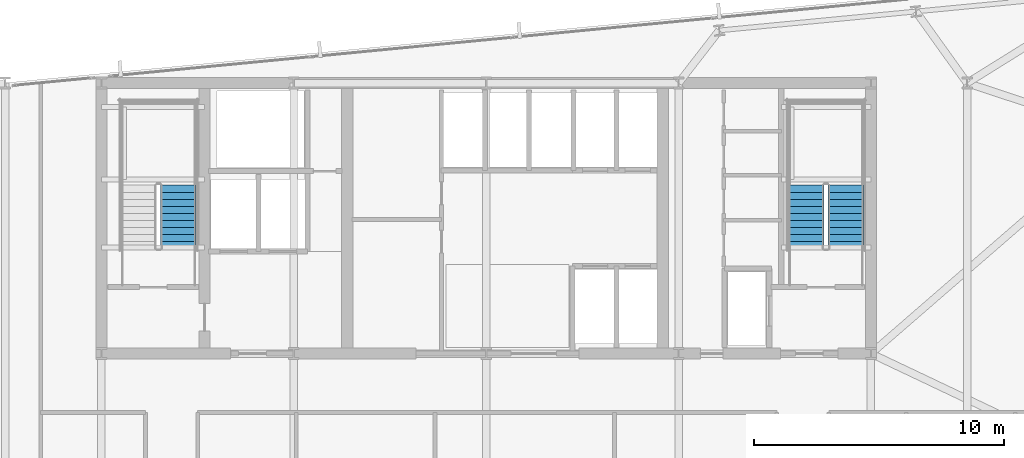
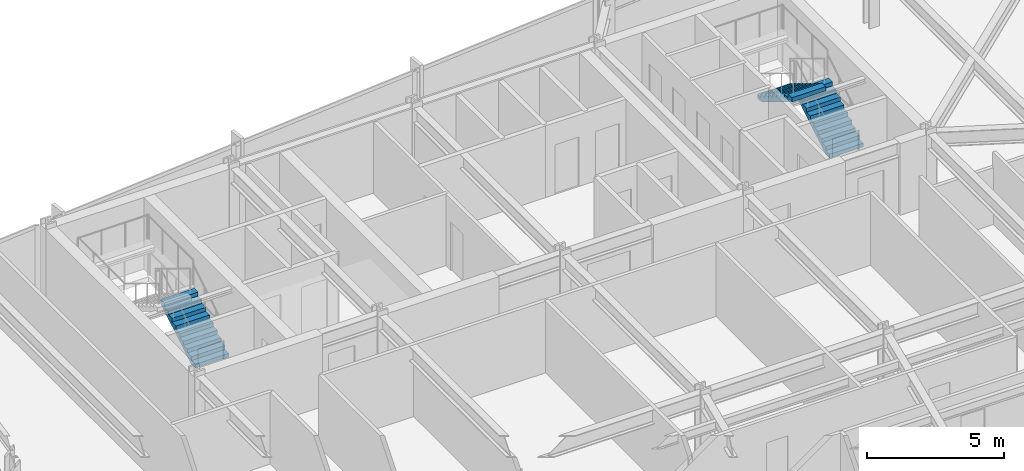
# One storey, part 27 of 33: 3 stair flights, 2 elements without a shape of their own.
"""IFC4 building model written with IfcOpenShell, lengths in metres."""

from ifc_helpers import new_model, si_unit, direction, frame, origin, place, context, subcontext, project, spatial, polyline, outline, extrude, material, type_object, element, aggregate, save


model = new_model("IFC4")

# Units and contexts
model_context = context("Model", 3, precision=1e-05, world=origin(), true_north=direction((0.0, 1.0)))
body_context = subcontext(model_context, "Body", "Model", "MODEL_VIEW")
ifc_project = project(units=[si_unit("LENGTHUNIT", "METRE"), si_unit("AREAUNIT", "SQUARE_METRE"), si_unit("VOLUMEUNIT", "CUBIC_METRE"), si_unit("PLANEANGLEUNIT", "RADIAN"), si_unit("MASSUNIT", "GRAM", prefix="KILO")], contexts=[model_context])

# Site, building, storey
site_placement = place(None, origin())
site = spatial("IfcSite", under=ifc_project, at=site_placement, CompositionType="ELEMENT")
building_placement = place(site_placement, origin())
building = spatial("IfcBuilding", under=site, at=building_placement, Name="Yelkora Congress Tower", CompositionType="ELEMENT")
storey_placement = place(building_placement, frame((0.0, 0.0, 123.699951171875)))
storey = spatial("IfcBuildingStorey", under=building, at=storey_placement, Name="L33", CompositionType="ELEMENT", Elevation=123.699951171875)

# Stair, stair flight
ifc_material = material(Name="Concrete C40/50", Category="concrete")
stair_type = type_object("IfcStairType", Name="STAIR-HT-1420-R20-170", PredefinedType="HALF_TURN_STAIR", material=ifc_material)
stair_1_placement = place(storey_placement, origin())
stair_1 = element("IfcStair", 1, at=stair_1_placement, inside=storey, type_object=stair_type, Name="West Core Protected Exit Stair ST-01 (L33)", PredefinedType="HALF_TURN_STAIR")
stair_flight_type = type_object("IfcStairFlightType", Name="FLIGHT-1420-N10-R170-G280", PredefinedType="STRAIGHT", material=ifc_material)
stair_flight_1_placement = place(storey_placement, frame((26.110107421875, 39.60009765625, 0.0), z_axis=(0.0, 0.0, 1.0), x_axis=(0.0, 1.0, 0.0)))
stair_flight_1 = element("IfcStairFlight", 2, at=stair_flight_1_placement, type_object=stair_flight_type, Name="ST-01 L33 Flight 1", NumberOfRisers=10, NumberOfTreads=9, PredefinedType="STRAIGHT", RiserHeight=0.17, TreadLength=0.28, context=body_context, shape_type="SweptSolid", body=[
    extrude(outline(polyline([(0.0, 0.0), (0.0, 0.169921875), (0.280029296875, 0.169921875), (0.280029296875, 0.340087890625), (0.56005859375, 0.340087890625), (0.56005859375, 0.510009765625), (0.840087890625, 0.510009765625), (0.840087890625, 0.679931640625), (1.1201171875, 0.679931640625), (1.1201171875, 0.85009765625), (1.39990234375, 0.85009765625), (1.39990234375, 1.02001953125), (1.679931640625, 1.02001953125), (1.679931640625, 1.18994140625), (1.9599609375, 1.18994140625), (1.9599609375, 1.360107421875), (2.239990234375, 1.360107421875), (2.239990234375, 1.530029296875), (2.52001953125, 1.530029296875), (2.52001953125, 1.699951171875), (2.52001953125, 1.343017578125), (0.30810546875, 0.0), (0.0, 0.0)])), frame((0.0, 0.7099609375, 0.0), z_axis=(0.0, -1.0, 0.0), x_axis=(1.0, 0.0, 0.0)), (0.0, 0.0, 1.0), 1.419921875),
])
aggregate(stair_1, [stair_flight_1])

# Stair, stair flights
stair_2_placement = place(storey_placement, origin())
stair_2 = element("IfcStair", 3, at=stair_2_placement, inside=storey, type_object=stair_type, Name="East Core Protected Exit Stair ST-02 (L33)", PredefinedType="HALF_TURN_STAIR")
stair_flight_2_placement = place(storey_placement, frame((52.75, 39.60009765625, 0.0), z_axis=(0.0, 0.0, 1.0), x_axis=(0.0, 1.0, 0.0)))
stair_flight_2 = element("IfcStairFlight", 4, at=stair_flight_2_placement, type_object=stair_flight_type, Name="ST-02 L33 Flight 1", NumberOfRisers=10, NumberOfTreads=9, PredefinedType="STRAIGHT", RiserHeight=0.17, TreadLength=0.28, context=body_context, shape_type="SweptSolid", body=[
    extrude(outline(polyline([(0.0, 0.0), (0.0, 0.169921875), (0.280029296875, 0.169921875), (0.280029296875, 0.340087890625), (0.56005859375, 0.340087890625), (0.56005859375, 0.510009765625), (0.840087890625, 0.510009765625), (0.840087890625, 0.679931640625), (1.1201171875, 0.679931640625), (1.1201171875, 0.85009765625), (1.39990234375, 0.85009765625), (1.39990234375, 1.02001953125), (1.679931640625, 1.02001953125), (1.679931640625, 1.18994140625), (1.9599609375, 1.18994140625), (1.9599609375, 1.360107421875), (2.239990234375, 1.360107421875), (2.239990234375, 1.530029296875), (2.52001953125, 1.530029296875), (2.52001953125, 1.699951171875), (2.52001953125, 1.343017578125), (0.30810546875, 0.0), (0.0, 0.0)])), frame((0.0, 0.7099609375, 0.0), z_axis=(0.0, -1.0, 0.0), x_axis=(1.0, 0.0, 0.0)), (0.0, 0.0, 1.0), 1.419921875),
])
stair_flight_3_placement = place(storey_placement, frame((51.169921875, 42.1201171875, 1.699951171875), z_axis=(0.0, 0.0, 1.0), x_axis=(0.0, -1.0, 0.0)))
stair_flight_3 = element("IfcStairFlight", 5, at=stair_flight_3_placement, type_object=stair_flight_type, Name="ST-02 L33 Flight 2", NumberOfRisers=10, NumberOfTreads=9, PredefinedType="STRAIGHT", RiserHeight=0.17, TreadLength=0.28, context=body_context, shape_type="SweptSolid", body=[
    extrude(outline(polyline([(0.0, 0.0), (0.0, 0.169921875), (0.280029296875, 0.169921875), (0.280029296875, 0.340087890625), (0.56005859375, 0.340087890625), (0.56005859375, 0.510009765625), (0.840087890625, 0.510009765625), (0.840087890625, 0.679931640625), (1.1201171875, 0.679931640625), (1.1201171875, 0.85009765625), (1.39990234375, 0.85009765625), (1.39990234375, 1.02001953125), (1.679931640625, 1.02001953125), (1.679931640625, 1.18994140625), (1.9599609375, 1.18994140625), (1.9599609375, 1.360107421875), (2.239990234375, 1.360107421875), (2.239990234375, 1.530029296875), (2.52001953125, 1.530029296875), (2.52001953125, 1.699951171875), (2.52001953125, 1.343017578125), (0.30810546875, 0.0), (0.0, 0.0)])), frame((0.0, 0.7099609375, 0.0), z_axis=(0.0, -1.0, 0.0), x_axis=(1.0, 0.0, 0.0)), (0.0, 0.0, 1.0), 1.419921875),
])
aggregate(stair_2, [stair_flight_2, stair_flight_3])

save(model, "model.ifc")
